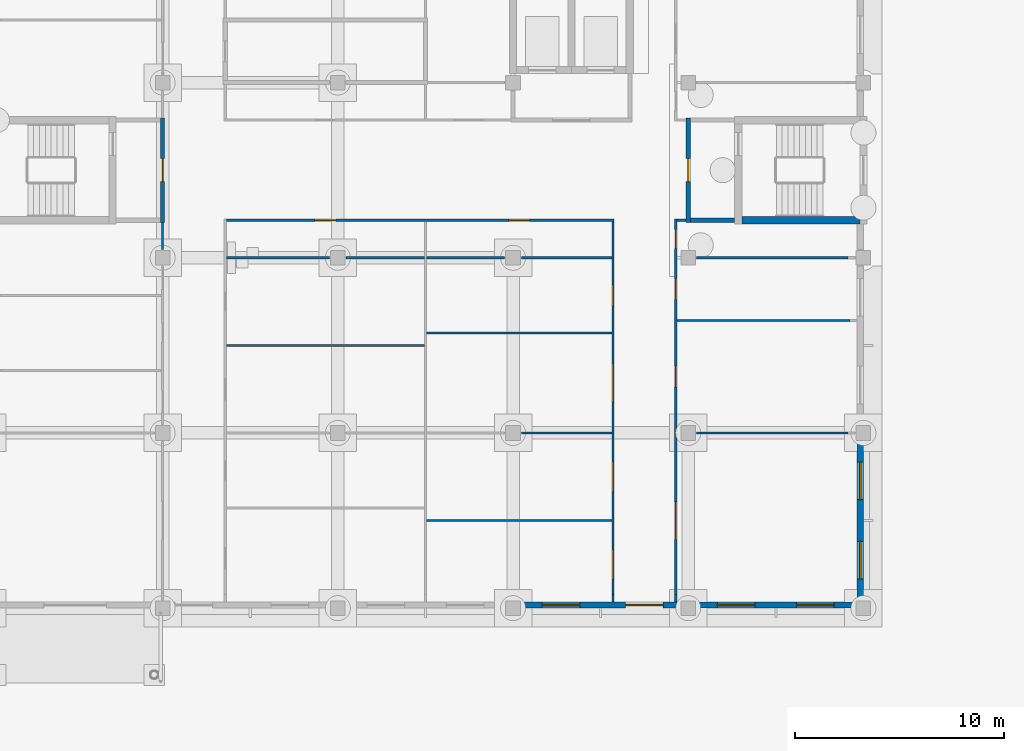
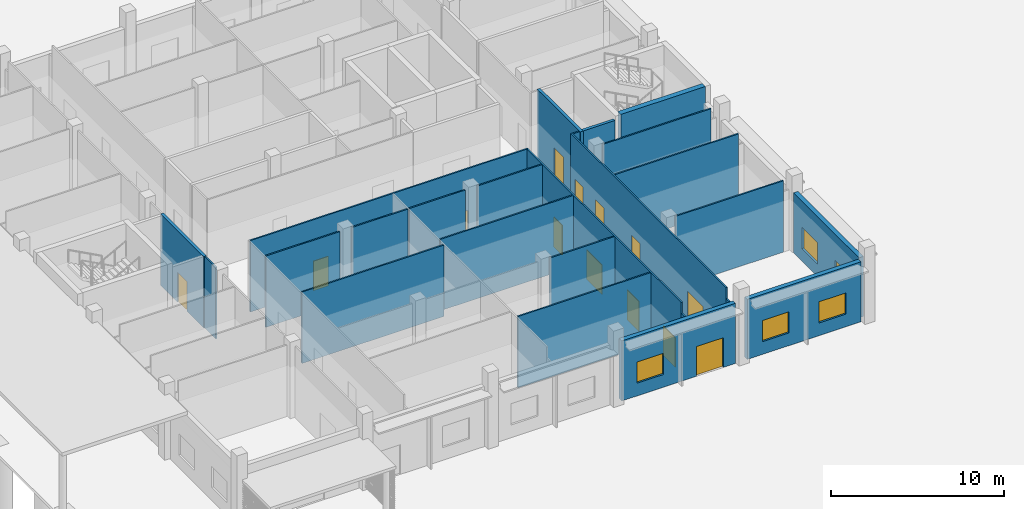
# One storey, part 55 of 146: 25 walls, 13 doors, 5 windows, 18 openings.
"""IFC4 building model written with IfcOpenShell, lengths in metres."""

from ifc_helpers import new_model, si_unit, direction, frame, frame_2d, origin, place, context, subcontext, project, spatial, rectangle, extrude, material, layer, layer_set, type_object, element, fill, save


model = new_model("IFC4")

# Units and contexts
model_context = context("Model", 3, precision=1e-05, world=origin(), true_north=direction((0.0, 1.0)))
body_context = subcontext(model_context, "Body", "Model", "MODEL_VIEW")
ifc_project = project(units=[si_unit("LENGTHUNIT", "METRE"), si_unit("AREAUNIT", "SQUARE_METRE"), si_unit("VOLUMEUNIT", "CUBIC_METRE"), si_unit("PLANEANGLEUNIT", "RADIAN"), si_unit("MASSUNIT", "GRAM", prefix="KILO")], contexts=[model_context])

# Site, building, storey
site_placement = place(None, origin())
site = spatial("IfcSite", under=ifc_project, at=site_placement, CompositionType="ELEMENT")
building_placement = place(site_placement, origin())
building = spatial("IfcBuilding", under=site, at=building_placement, Name="Bougainvillea Quay General Hospital", CompositionType="ELEMENT")
storey_placement = place(building_placement, origin())
storey = spatial("IfcBuildingStorey", under=building, at=storey_placement, Name="L00", CompositionType="ELEMENT", Elevation=0.0)

# Wall, openings, windows
ifc_material_1 = material(Name="Pale stone rainscreen cladding on insulated masonry backing, pale stone", Category="masonry")
ifc_layer_1 = layer(ifc_material_1, 0.300048828125)
ifc_layer_set_1 = layer_set([ifc_layer_1], Name="Pale stone rainscreen cladding on insulated masonry backing, pale stone")
wall_type_1 = type_object("IfcWallType", Name="External wall pale stone rainscreen 300", PredefinedType="STANDARD", material=ifc_layer_set_1)
wall_1_placement = place(storey_placement, frame((50.25, 34.0, 0.0), z_axis=(0.0, 0.0, 1.0), x_axis=(0.0, 1.0, 0.0)))
wall_1 = element("IfcWall", 1, at=wall_1_placement, inside=storey, type_object=wall_type_1, Name="External wall wall/V2/L00/p0/00a", PredefinedType="STANDARD", context=body_context, shape_type="SweptSolid", body=[
    extrude(rectangle(XDim=7.60009765625, YDim=0.300048828125, at=frame_2d((3.800048828125, 0.0))), origin(), (0.0, 0.0, 1.0), 4.25),
])
opening_1_placement = place(wall_1_placement, frame((1.0, 0.0, 0.89990234375)))
opening_1 = element("IfcOpeningElement", 2, at=opening_1_placement, cuts=wall_1, Name="Opening W1", PredefinedType="OPENING", context=body_context, shape_type="SweptSolid", body=[
    extrude(rectangle(XDim=1.800048828125, YDim=1.5, at=frame_2d((0.89990234375, 0.75))), frame((0.0, 0.159912109375, 0.0), z_axis=(0.0, -1.0, 0.0), x_axis=(1.0, 0.0, 0.0)), (0.0, 0.0, 1.0), 0.320068359375),
])
opening_2_placement = place(wall_1_placement, frame((4.800048828125, 0.0, 0.89990234375)))
opening_2 = element("IfcOpeningElement", 3, at=opening_2_placement, cuts=wall_1, Name="Opening W1", PredefinedType="OPENING", context=body_context, shape_type="SweptSolid", body=[
    extrude(rectangle(XDim=1.800048828125, YDim=1.5, at=frame_2d((0.89990234375, 0.75))), frame((0.0, 0.159912109375, 0.0), z_axis=(0.0, -1.0, 0.0), x_axis=(1.0, 0.0, 0.0)), (0.0, 0.0, 1.0), 0.320068359375),
])
ifc_material_2 = material(Name="Aluminium window frame with low-e double glazed unit", Category="aluminium")
window_type = type_object("IfcWindowType", Name="Window W1 1800x1500", PartitioningType="DOUBLE_PANEL_VERTICAL", PredefinedType="WINDOW", material=ifc_material_2)
window_1_placement = place(opening_1_placement, origin())
window_1 = element("IfcWindow", 4, at=window_1_placement, inside=storey, type_object=window_type, Name="Window W1 1", OverallHeight=1.5, OverallWidth=1.800048828125, PartitioningType="SINGLE_PANEL", PredefinedType="WINDOW", context=body_context, shape_type="SweptSolid", body=[
    extrude(rectangle(XDim=1.800048828125, YDim=1.5, at=frame_2d((0.89990234375, 0.75))), frame((0.0, 0.030029296875, 0.0), z_axis=(0.0, -1.0, 0.0), x_axis=(1.0, 0.0, 0.0)), (0.0, 0.0, 1.0), 0.06005859375),
])
fill(opening_1, window_1)
window_2_placement = place(opening_2_placement, origin())
window_2 = element("IfcWindow", 5, at=window_2_placement, inside=storey, type_object=window_type, Name="Window W1 2", OverallHeight=1.5, OverallWidth=1.800048828125, PartitioningType="SINGLE_PANEL", PredefinedType="WINDOW", context=body_context, shape_type="SweptSolid", body=[
    extrude(rectangle(XDim=1.800048828125, YDim=1.5, at=frame_2d((0.89990234375, 0.75))), frame((0.0, 0.030029296875, 0.0), z_axis=(0.0, -1.0, 0.0), x_axis=(1.0, 0.0, 0.0)), (0.0, 0.0, 1.0), 0.06005859375),
])
fill(opening_2, window_2)

# Wall, openings, door, window
wall_2_placement = place(storey_placement, frame((34.0, 33.75, 0.0), z_axis=(0.0, 0.0, 1.0), x_axis=(1.0, 0.0, 0.0)))
wall_2 = element("IfcWall", 6, at=wall_2_placement, inside=storey, type_object=wall_type_1, Name="External wall wall/V2/L00/p0/03d", PredefinedType="STANDARD", context=body_context, shape_type="SweptSolid", body=[
    extrude(rectangle(XDim=7.60009765625, YDim=0.300048828125, at=frame_2d((3.800048828125, 0.0))), origin(), (0.0, 0.0, 1.0), 4.25),
])
opening_3_placement = place(wall_2_placement, frame((5.0, 0.0, 0.0)))
opening_3 = element("IfcOpeningElement", 7, at=opening_3_placement, cuts=wall_2, Name="Opening L00.321", PredefinedType="OPENING", context=body_context, shape_type="SweptSolid", body=[
    extrude(rectangle(XDim=1.800048828125, YDim=2.10009765625, at=frame_2d((0.89990234375, 1.050048828125))), frame((0.0, 0.159912109375, 0.0), z_axis=(0.0, -1.0, 0.0), x_axis=(1.0, 0.0, 0.0)), (0.0, 0.0, 1.0), 0.320068359375),
])
opening_4_placement = place(wall_2_placement, frame((1.0, 0.0, 0.89990234375)))
opening_4 = element("IfcOpeningElement", 8, at=opening_4_placement, cuts=wall_2, Name="Opening W1", PredefinedType="OPENING", context=body_context, shape_type="SweptSolid", body=[
    extrude(rectangle(XDim=1.800048828125, YDim=1.5, at=frame_2d((0.89990234375, 0.75))), frame((0.0, 0.159912109375, 0.0), z_axis=(0.0, -1.0, 0.0), x_axis=(1.0, 0.0, 0.0)), (0.0, 0.0, 1.0), 0.320068359375),
])
ifc_material_3 = material(Name="Steel door set, painted, with vision panels", Category="steel")
door_type_1 = type_object("IfcDoorType", Name="Escape door 1800x2100", OperationType="DOUBLE_DOOR_SINGLE_SWING", PredefinedType="DOOR", material=ifc_material_3)
door_1_placement = place(opening_3_placement, frame((1.800048828125, 0.0, 0.0), z_axis=(0.0, 0.0, 1.0), x_axis=(-1.0, 0.0, 0.0)))
door_1 = element("IfcDoor", 9, at=door_1_placement, inside=storey, type_object=door_type_1, Name="Escape door 9", OperationType="SINGLE_SWING_LEFT", OverallHeight=2.10009765625, OverallWidth=1.800048828125, PredefinedType="DOOR", context=body_context, shape_type="SweptSolid", body=[
    extrude(rectangle(XDim=1.800048828125, YDim=2.10009765625, at=frame_2d((0.89990234375, 1.050048828125))), frame((0.0, 0.02490234375, 0.0), z_axis=(0.0, -1.0, 0.0), x_axis=(1.0, 0.0, 0.0)), (0.0, 0.0, 1.0), 0.050048828125),
])
fill(opening_3, door_1)
window_3_placement = place(opening_4_placement, origin())
window_3 = element("IfcWindow", 10, at=window_3_placement, inside=storey, type_object=window_type, Name="Window W1 1", OverallHeight=1.5, OverallWidth=1.800048828125, PartitioningType="SINGLE_PANEL", PredefinedType="WINDOW", context=body_context, shape_type="SweptSolid", body=[
    extrude(rectangle(XDim=1.800048828125, YDim=1.5, at=frame_2d((0.89990234375, 0.75))), frame((0.0, 0.030029296875, 0.0), z_axis=(0.0, -1.0, 0.0), x_axis=(1.0, 0.0, 0.0)), (0.0, 0.0, 1.0), 0.06005859375),
])
fill(opening_4, window_3)

# Wall, openings, windows
wall_3_placement = place(storey_placement, frame((42.39990234375, 33.75, 0.0), z_axis=(0.0, 0.0, 1.0), x_axis=(1.0, 0.0, 0.0)))
wall_3 = element("IfcWall", 11, at=wall_3_placement, inside=storey, type_object=wall_type_1, Name="External wall wall/V2/L00/p0/03e", PredefinedType="STANDARD", context=body_context, shape_type="SweptSolid", body=[
    extrude(rectangle(XDim=7.60009765625, YDim=0.300048828125, at=frame_2d((3.800048828125, 0.0))), origin(), (0.0, 0.0, 1.0), 4.25),
])
opening_5_placement = place(wall_3_placement, frame((1.0, 0.0, 0.89990234375)))
opening_5 = element("IfcOpeningElement", 12, at=opening_5_placement, cuts=wall_3, Name="Opening W1", PredefinedType="OPENING", context=body_context, shape_type="SweptSolid", body=[
    extrude(rectangle(XDim=1.800048828125, YDim=1.5, at=frame_2d((0.89990234375, 0.75))), frame((0.0, 0.159912109375, 0.0), z_axis=(0.0, -1.0, 0.0), x_axis=(1.0, 0.0, 0.0)), (0.0, 0.0, 1.0), 0.320068359375),
])
opening_6_placement = place(wall_3_placement, frame((4.800048828125, 0.0, 0.89990234375)))
opening_6 = element("IfcOpeningElement", 13, at=opening_6_placement, cuts=wall_3, Name="Opening W1", PredefinedType="OPENING", context=body_context, shape_type="SweptSolid", body=[
    extrude(rectangle(XDim=1.800048828125, YDim=1.5, at=frame_2d((0.89990234375, 0.75))), frame((0.0, 0.159912109375, 0.0), z_axis=(0.0, -1.0, 0.0), x_axis=(1.0, 0.0, 0.0)), (0.0, 0.0, 1.0), 0.320068359375),
])
window_4_placement = place(opening_5_placement, origin())
window_4 = element("IfcWindow", 14, at=window_4_placement, inside=storey, type_object=window_type, Name="Window W1 1", OverallHeight=1.5, OverallWidth=1.800048828125, PartitioningType="SINGLE_PANEL", PredefinedType="WINDOW", context=body_context, shape_type="SweptSolid", body=[
    extrude(rectangle(XDim=1.800048828125, YDim=1.5, at=frame_2d((0.89990234375, 0.75))), frame((0.0, 0.030029296875, 0.0), z_axis=(0.0, -1.0, 0.0), x_axis=(1.0, 0.0, 0.0)), (0.0, 0.0, 1.0), 0.06005859375),
])
fill(opening_5, window_4)
window_5_placement = place(opening_6_placement, origin())
window_5 = element("IfcWindow", 15, at=window_5_placement, inside=storey, type_object=window_type, Name="Window W1 2", OverallHeight=1.5, OverallWidth=1.800048828125, PartitioningType="SINGLE_PANEL", PredefinedType="WINDOW", context=body_context, shape_type="SweptSolid", body=[
    extrude(rectangle(XDim=1.800048828125, YDim=1.5, at=frame_2d((0.89990234375, 0.75))), frame((0.0, 0.030029296875, 0.0), z_axis=(0.0, -1.0, 0.0), x_axis=(1.0, 0.0, 0.0)), (0.0, 0.0, 1.0), 0.06005859375),
])
fill(opening_6, window_5)

# Wall
ifc_material_4 = material(Name="Gypsum board partition on steel studs", Category="steel")
ifc_layer_2 = layer(ifc_material_4, 0.10009765625)
ifc_layer_set_2 = layer_set([ifc_layer_2], Name="Gypsum board partition on steel studs")
wall_type_2 = type_object("IfcWallType", Name="Partition 100 Gypsum board partition", PredefinedType="PARTITIONING", material=ifc_layer_set_2)
wall_4_placement = place(storey_placement, frame((16.800048828125, 52.10009765625, 0.0), z_axis=(0.0, 0.0, 1.0), x_axis=(0.0, -1.0, 0.0)))
element("IfcWall", 16, at=wall_4_placement, inside=storey, type_object=wall_type_2, Name="Partition 100 mm", PredefinedType="PARTITIONING", context=body_context, shape_type="SweptSolid", body=[
    extrude(rectangle(XDim=1.300048828125, YDim=0.10009765625, at=frame_2d((0.64990234375, 0.0))), origin(), (0.0, 0.0, 1.0), 5.050048828125),
])

# Wall, openings, doors
wall_5_placement = place(storey_placement, frame((19.85009765625, 52.199951171875, 0.0), z_axis=(0.0, 0.0, 1.0), x_axis=(1.0, 0.0, 0.0)))
wall_5 = element("IfcWall", 17, at=wall_5_placement, inside=storey, type_object=wall_type_2, Name="Partition 100 mm", PredefinedType="PARTITIONING", context=body_context, shape_type="SweptSolid", body=[
    extrude(rectangle(XDim=18.599853515625, YDim=0.10009765625, at=frame_2d((9.2998046875, 0.0))), origin(), (0.0, 0.0, 1.0), 5.050048828125),
])
opening_7_placement = place(wall_5_placement, frame((4.25, 0.0, 0.0)))
opening_7 = element("IfcOpeningElement", 18, at=opening_7_placement, cuts=wall_5, Name="Opening L00.064", PredefinedType="OPENING", context=body_context, shape_type="SweptSolid", body=[
    extrude(rectangle(XDim=1.0, YDim=2.10009765625, at=frame_2d((0.5, 1.050048828125))), frame((0.0, 0.06005859375, 0.0), z_axis=(0.0, -1.0, 0.0), x_axis=(1.0, 0.0, 0.0)), (0.0, 0.0, 1.0), 0.1201171875),
])
opening_8_placement = place(wall_5_placement, frame((13.550048828125, 0.0, 0.0)))
opening_8 = element("IfcOpeningElement", 19, at=opening_8_placement, cuts=wall_5, Name="Opening L00.069", PredefinedType="OPENING", context=body_context, shape_type="SweptSolid", body=[
    extrude(rectangle(XDim=1.0, YDim=2.10009765625, at=frame_2d((0.5, 1.050048828125))), frame((0.0, 0.06005859375, 0.0), z_axis=(0.0, -1.0, 0.0), x_axis=(1.0, 0.0, 0.0)), (0.0, 0.0, 1.0), 0.1201171875),
])
ifc_material_5 = material(Name="Solid-core timber door leaf in steel frame", Category="steel")
door_type_2 = type_object("IfcDoorType", Name="Single leaf door 1000x2100", OperationType="NOTDEFINED", PredefinedType="DOOR", material=ifc_material_5)
door_2_placement = place(opening_7_placement, frame((1.0, 0.0, 0.0), z_axis=(0.0, 0.0, 1.0), x_axis=(-1.0, 0.0, 0.0)))
door_2 = element("IfcDoor", 20, at=door_2_placement, inside=storey, type_object=door_type_2, Name="DT06 L00.064", OperationType="SINGLE_SWING_RIGHT", OverallHeight=2.10009765625, OverallWidth=1.0, PredefinedType="DOOR", context=body_context, shape_type="SweptSolid", body=[
    extrude(rectangle(XDim=1.0, YDim=2.10009765625, at=frame_2d((0.5, 1.050048828125))), frame((0.0, 0.02490234375, 0.0), z_axis=(0.0, -1.0, 0.0), x_axis=(1.0, 0.0, 0.0)), (0.0, 0.0, 1.0), 0.050048828125),
])
fill(opening_7, door_2)
door_3_placement = place(opening_8_placement, frame((1.0, 0.0, 0.0), z_axis=(0.0, 0.0, 1.0), x_axis=(-1.0, 0.0, 0.0)))
door_3 = element("IfcDoor", 21, at=door_3_placement, inside=storey, type_object=door_type_2, Name="DT06 L00.069", OperationType="SINGLE_SWING_LEFT", OverallHeight=2.10009765625, OverallWidth=1.0, PredefinedType="DOOR", context=body_context, shape_type="SweptSolid", body=[
    extrude(rectangle(XDim=1.0, YDim=2.10009765625, at=frame_2d((0.5, 1.050048828125))), frame((0.0, 0.02490234375, 0.0), z_axis=(0.0, -1.0, 0.0), x_axis=(1.0, 0.0, 0.0)), (0.0, 0.0, 1.0), 0.050048828125),
])
fill(opening_8, door_3)

wall_6_placement = place(storey_placement, frame((38.39990234375, 52.14990234375, 0.0), z_axis=(0.0, 0.0, 1.0), x_axis=(0.0, -1.0, 0.0)))
wall_6 = element("IfcWall", 22, at=wall_6_placement, inside=storey, type_object=wall_type_2, Name="Partition 100 mm", PredefinedType="PARTITIONING", context=body_context, shape_type="SweptSolid", body=[
    extrude(rectangle(XDim=17.89990234375, YDim=0.10009765625, at=frame_2d((8.949951171875, 0.0))), origin(), (0.0, 0.0, 1.0), 5.050048828125),
])
opening_9_placement = place(wall_6_placement, frame((3.050048828125, 0.0, 0.0)))
opening_9 = element("IfcOpeningElement", 23, at=opening_9_placement, cuts=wall_6, Name="Opening L00.070", PredefinedType="OPENING", context=body_context, shape_type="SweptSolid", body=[
    extrude(rectangle(XDim=1.0, YDim=2.10009765625, at=frame_2d((0.5, 1.050048828125))), frame((0.0, 0.06005859375, 0.0), z_axis=(0.0, -1.0, 0.0), x_axis=(1.0, 0.0, 0.0)), (0.0, 0.0, 1.0), 0.1201171875),
])
opening_10_placement = place(wall_6_placement, frame((6.85009765625, 0.0, 0.0)))
opening_10 = element("IfcOpeningElement", 24, at=opening_10_placement, cuts=wall_6, Name="Opening L00.071", PredefinedType="OPENING", context=body_context, shape_type="SweptSolid", body=[
    extrude(rectangle(XDim=1.800048828125, YDim=2.10009765625, at=frame_2d((0.89990234375, 1.050048828125))), frame((0.0, 0.06005859375, 0.0), z_axis=(0.0, -1.0, 0.0), x_axis=(1.0, 0.0, 0.0)), (0.0, 0.0, 1.0), 0.1201171875),
])
opening_11_placement = place(wall_6_placement, frame((11.550048828125, 0.0, 0.0)))
opening_11 = element("IfcOpeningElement", 25, at=opening_11_placement, cuts=wall_6, Name="Opening L00.072", PredefinedType="OPENING", context=body_context, shape_type="SweptSolid", body=[
    extrude(rectangle(XDim=1.39990234375, YDim=2.10009765625, at=frame_2d((0.699951171875, 1.050048828125))), frame((0.0, 0.06005859375, 0.0), z_axis=(0.0, -1.0, 0.0), x_axis=(1.0, 0.0, 0.0)), (0.0, 0.0, 1.0), 0.1201171875),
])
opening_12_placement = place(wall_6_placement, frame((15.75, 0.0, 0.0)))
opening_12 = element("IfcOpeningElement", 26, at=opening_12_placement, cuts=wall_6, Name="Opening L00.073", PredefinedType="OPENING", context=body_context, shape_type="SweptSolid", body=[
    extrude(rectangle(XDim=1.39990234375, YDim=2.10009765625, at=frame_2d((0.699951171875, 1.050048828125))), frame((0.0, 0.06005859375, 0.0), z_axis=(0.0, -1.0, 0.0), x_axis=(1.0, 0.0, 0.0)), (0.0, 0.0, 1.0), 0.1201171875),
])
ifc_material_6 = material(Name="Solid-core timber door leaves in steel frame", Category="steel")
door_type_3 = type_object("IfcDoorType", Name="Bed door pair 1400x2100", OperationType="DOUBLE_DOOR_SINGLE_SWING", PredefinedType="DOOR", material=ifc_material_6)
door_4_placement = place(opening_11_placement, frame((1.39990234375, 0.0, 0.0), z_axis=(0.0, 0.0, 1.0), x_axis=(-1.0, 0.0, 0.0)))
door_4 = element("IfcDoor", 27, at=door_4_placement, inside=storey, type_object=door_type_3, Name="DT09 L00.072", OperationType="DOUBLE_DOOR_SINGLE_SWING", OverallHeight=2.10009765625, OverallWidth=1.39990234375, PredefinedType="DOOR", context=body_context, shape_type="SweptSolid", body=[
    extrude(rectangle(XDim=1.39990234375, YDim=2.10009765625, at=frame_2d((0.699951171875, 1.050048828125))), frame((0.0, 0.02490234375, 0.0), z_axis=(0.0, -1.0, 0.0), x_axis=(1.0, 0.0, 0.0)), (0.0, 0.0, 1.0), 0.050048828125),
])
fill(opening_11, door_4)
door_5_placement = place(opening_12_placement, frame((1.39990234375, 0.0, 0.0), z_axis=(0.0, 0.0, 1.0), x_axis=(-1.0, 0.0, 0.0)))
door_5 = element("IfcDoor", 28, at=door_5_placement, inside=storey, type_object=door_type_3, Name="DT09 L00.073", OperationType="DOUBLE_DOOR_SINGLE_SWING", OverallHeight=2.10009765625, OverallWidth=1.39990234375, PredefinedType="DOOR", context=body_context, shape_type="SweptSolid", body=[
    extrude(rectangle(XDim=1.39990234375, YDim=2.10009765625, at=frame_2d((0.699951171875, 1.050048828125))), frame((0.0, 0.02490234375, 0.0), z_axis=(0.0, -1.0, 0.0), x_axis=(1.0, 0.0, 0.0)), (0.0, 0.0, 1.0), 0.050048828125),
])
fill(opening_12, door_5)
door_type_4 = type_object("IfcDoorType", Name="Double leaf door 1800x2100", OperationType="DOUBLE_DOOR_SINGLE_SWING", PredefinedType="DOOR", material=ifc_material_6)
door_6_placement = place(opening_10_placement, frame((1.800048828125, 0.0, 0.0), z_axis=(0.0, 0.0, 1.0), x_axis=(-1.0, 0.0, 0.0)))
door_6 = element("IfcDoor", 29, at=door_6_placement, inside=storey, type_object=door_type_4, Name="DT08 L00.071", OperationType="DOUBLE_DOOR_SINGLE_SWING", OverallHeight=2.10009765625, OverallWidth=1.800048828125, PredefinedType="DOOR", context=body_context, shape_type="SweptSolid", body=[
    extrude(rectangle(XDim=1.800048828125, YDim=2.10009765625, at=frame_2d((0.89990234375, 1.050048828125))), frame((0.0, 0.02490234375, 0.0), z_axis=(0.0, -1.0, 0.0), x_axis=(1.0, 0.0, 0.0)), (0.0, 0.0, 1.0), 0.050048828125),
])
fill(opening_10, door_6)
door_7_placement = place(opening_9_placement, frame((1.0, 0.0, 0.0), z_axis=(0.0, 0.0, 1.0), x_axis=(-1.0, 0.0, 0.0)))
door_7 = element("IfcDoor", 30, at=door_7_placement, inside=storey, type_object=door_type_2, Name="DT06 L00.070", OperationType="SINGLE_SWING_RIGHT", OverallHeight=2.10009765625, OverallWidth=1.0, PredefinedType="DOOR", context=body_context, shape_type="SweptSolid", body=[
    extrude(rectangle(XDim=1.0, YDim=2.10009765625, at=frame_2d((0.5, 1.050048828125))), frame((0.0, 0.02490234375, 0.0), z_axis=(0.0, -1.0, 0.0), x_axis=(1.0, 0.0, 0.0)), (0.0, 0.0, 1.0), 0.050048828125),
])
fill(opening_9, door_7)

# Wall
wall_7_placement = place(storey_placement, frame((38.39990234375, 34.25, 0.0), z_axis=(0.0, 0.0, 1.0), x_axis=(0.0, -1.0, 0.0)))
element("IfcWall", 31, at=wall_7_placement, inside=storey, type_object=wall_type_2, Name="Partition 100 mm", PredefinedType="PARTITIONING", context=body_context, shape_type="SweptSolid", body=[
    extrude(rectangle(XDim=0.35009765625, YDim=0.10009765625, at=frame_2d((0.175048828125, 0.0))), origin(), (0.0, 0.0, 1.0), 4.280029296875),
])

# Wall, openings, doors
wall_8_placement = place(storey_placement, frame((41.39990234375, 52.25, 0.0), z_axis=(0.0, 0.0, 1.0), x_axis=(0.0, -1.0, 0.0)))
wall_8 = element("IfcWall", 32, at=wall_8_placement, inside=storey, type_object=wall_type_2, Name="Partition 100 mm", PredefinedType="PARTITIONING", context=body_context, shape_type="SweptSolid", body=[
    extrude(rectangle(XDim=18.0, YDim=0.10009765625, at=frame_2d((9.0, 0.0))), origin(), (0.0, 0.0, 1.0), 5.050048828125),
])
opening_13_placement = place(wall_8_placement, frame((0.5, 0.0, 0.0)))
opening_13 = element("IfcOpeningElement", 33, at=opening_13_placement, cuts=wall_8, Name="Opening L00.074", PredefinedType="OPENING", context=body_context, shape_type="SweptSolid", body=[
    extrude(rectangle(XDim=0.89990234375, YDim=2.10009765625, at=frame_2d((0.449951171875, 1.050048828125))), frame((0.0, 0.06005859375, 0.0), z_axis=(0.0, -1.0, 0.0), x_axis=(1.0, 0.0, 0.0)), (0.0, 0.0, 1.0), 0.1201171875),
])
opening_14_placement = place(wall_8_placement, frame((2.85009765625, 0.0, 0.0)))
opening_14 = element("IfcOpeningElement", 34, at=opening_14_placement, cuts=wall_8, Name="Opening L00.075", PredefinedType="OPENING", context=body_context, shape_type="SweptSolid", body=[
    extrude(rectangle(XDim=1.0, YDim=2.10009765625, at=frame_2d((0.5, 1.050048828125))), frame((0.0, 0.06005859375, 0.0), z_axis=(0.0, -1.0, 0.0), x_axis=(1.0, 0.0, 0.0)), (0.0, 0.0, 1.0), 0.1201171875),
])
opening_15_placement = place(wall_8_placement, frame((7.050048828125, 0.0, 0.0)))
opening_15 = element("IfcOpeningElement", 35, at=opening_15_placement, cuts=wall_8, Name="Opening L00.076", PredefinedType="OPENING", context=body_context, shape_type="SweptSolid", body=[
    extrude(rectangle(XDim=1.0, YDim=2.10009765625, at=frame_2d((0.5, 1.050048828125))), frame((0.0, 0.06005859375, 0.0), z_axis=(0.0, -1.0, 0.0), x_axis=(1.0, 0.0, 0.0)), (0.0, 0.0, 1.0), 0.1201171875),
])
opening_16_placement = place(wall_8_placement, frame((13.550048828125, 0.0, 0.0)))
opening_16 = element("IfcOpeningElement", 36, at=opening_16_placement, cuts=wall_8, Name="Opening L00.077", PredefinedType="OPENING", context=body_context, shape_type="SweptSolid", body=[
    extrude(rectangle(XDim=1.800048828125, YDim=2.10009765625, at=frame_2d((0.89990234375, 1.050048828125))), frame((0.0, 0.06005859375, 0.0), z_axis=(0.0, -1.0, 0.0), x_axis=(1.0, 0.0, 0.0)), (0.0, 0.0, 1.0), 0.1201171875),
])
door_8_placement = place(opening_16_placement, origin())
door_8 = element("IfcDoor", 37, at=door_8_placement, inside=storey, type_object=door_type_4, Name="DT08 L00.077", OperationType="DOUBLE_DOOR_SINGLE_SWING", OverallHeight=2.10009765625, OverallWidth=1.800048828125, PredefinedType="DOOR", context=body_context, shape_type="SweptSolid", body=[
    extrude(rectangle(XDim=1.800048828125, YDim=2.10009765625, at=frame_2d((0.89990234375, 1.050048828125))), frame((0.0, 0.02490234375, 0.0), z_axis=(0.0, -1.0, 0.0), x_axis=(1.0, 0.0, 0.0)), (0.0, 0.0, 1.0), 0.050048828125),
])
fill(opening_16, door_8)
door_9_placement = place(opening_14_placement, origin())
door_9 = element("IfcDoor", 38, at=door_9_placement, inside=storey, type_object=door_type_2, Name="DT06 L00.075", OperationType="SINGLE_SWING_LEFT", OverallHeight=2.10009765625, OverallWidth=1.0, PredefinedType="DOOR", context=body_context, shape_type="SweptSolid", body=[
    extrude(rectangle(XDim=1.0, YDim=2.10009765625, at=frame_2d((0.5, 1.050048828125))), frame((0.0, 0.02490234375, 0.0), z_axis=(0.0, -1.0, 0.0), x_axis=(1.0, 0.0, 0.0)), (0.0, 0.0, 1.0), 0.050048828125),
])
fill(opening_14, door_9)
door_10_placement = place(opening_15_placement, origin())
door_10 = element("IfcDoor", 39, at=door_10_placement, inside=storey, type_object=door_type_2, Name="DT06 L00.076", OperationType="SINGLE_SWING_LEFT", OverallHeight=2.10009765625, OverallWidth=1.0, PredefinedType="DOOR", context=body_context, shape_type="SweptSolid", body=[
    extrude(rectangle(XDim=1.0, YDim=2.10009765625, at=frame_2d((0.5, 1.050048828125))), frame((0.0, 0.02490234375, 0.0), z_axis=(0.0, -1.0, 0.0), x_axis=(1.0, 0.0, 0.0)), (0.0, 0.0, 1.0), 0.050048828125),
])
fill(opening_15, door_10)
door_type_5 = type_object("IfcDoorType", Name="Single leaf door 900x2100", OperationType="NOTDEFINED", PredefinedType="DOOR", material=ifc_material_5)
door_11_placement = place(opening_13_placement, origin())
door_11 = element("IfcDoor", 40, at=door_11_placement, inside=storey, type_object=door_type_5, Name="DT07 L00.074", OperationType="SINGLE_SWING_LEFT", OverallHeight=2.10009765625, OverallWidth=0.89990234375, PredefinedType="DOOR", context=body_context, shape_type="SweptSolid", body=[
    extrude(rectangle(XDim=0.89990234375, YDim=2.10009765625, at=frame_2d((0.449951171875, 1.050048828125))), frame((0.0, 0.02490234375, 0.0), z_axis=(0.0, -1.0, 0.0), x_axis=(1.0, 0.0, 0.0)), (0.0, 0.0, 1.0), 0.050048828125),
])
fill(opening_13, door_11)

# Walls
wall_9_placement = place(storey_placement, frame((41.39990234375, 34.25, 0.0), z_axis=(0.0, 0.0, 1.0), x_axis=(0.0, -1.0, 0.0)))
element("IfcWall", 41, at=wall_9_placement, inside=storey, type_object=wall_type_2, Name="Partition 100 mm", PredefinedType="PARTITIONING", context=body_context, shape_type="SweptSolid", body=[
    extrude(rectangle(XDim=0.35009765625, YDim=0.10009765625, at=frame_2d((0.175048828125, 0.0))), origin(), (0.0, 0.0, 1.0), 4.280029296875),
])
wall_10_placement = place(storey_placement, frame((34.0, 42.0, 0.0), z_axis=(0.0, 0.0, 1.0), x_axis=(1.0, 0.0, 0.0)))
element("IfcWall", 42, at=wall_10_placement, inside=storey, type_object=wall_type_2, Name="Partition 100 mm", PredefinedType="PARTITIONING", context=body_context, shape_type="SweptSolid", body=[
    extrude(rectangle(XDim=4.35009765625, YDim=0.10009765625, at=frame_2d((2.175048828125, 0.0))), origin(), (0.0, 0.0, 1.0), 5.050048828125),
])
wall_11_placement = place(storey_placement, frame((19.85009765625, 50.39990234375, 0.0), z_axis=(0.0, 0.0, 1.0), x_axis=(1.0, 0.0, 0.0)))
element("IfcWall", 43, at=wall_11_placement, inside=storey, type_object=wall_type_2, Name="Partition 100 mm", PredefinedType="PARTITIONING", context=body_context, shape_type="SweptSolid", body=[
    extrude(rectangle(XDim=4.949951171875, YDim=0.10009765625, at=frame_2d((2.47509765625, 0.0))), origin(), (0.0, 0.0, 1.0), 5.050048828125),
])
for number, where, z_axis, x_axis, name in (
    (44, (25.60009765625, 50.39990234375, 0.0), (0.0, 0.0, 1.0), (1.0, 0.0, 0.0), "Partition 100 mm"),
    (45, (29.449951171875, 50.39990234375, 0.0), (0.0, 0.0, 1.0), (1.0, 0.0, 0.0), "Partition 100 mm"),
):
    element("IfcWall", number, at=place(storey_placement, frame(where, z_axis=z_axis, x_axis=x_axis)), inside=storey, type_object=wall_type_2, Name=name, PredefinedType="PARTITIONING", context=body_context, shape_type="SweptSolid", body=[
        extrude(rectangle(XDim=3.75, YDim=0.10009765625, at=frame_2d((1.875, 0.0))), origin(), (0.0, 0.0, 1.0), 5.050048828125),
    ])
wall_12_placement = place(storey_placement, frame((34.0, 50.39990234375, 0.0), z_axis=(0.0, 0.0, 1.0), x_axis=(1.0, 0.0, 0.0)))
element("IfcWall", 46, at=wall_12_placement, inside=storey, type_object=wall_type_2, Name="Partition 100 mm", PredefinedType="PARTITIONING", context=body_context, shape_type="SweptSolid", body=[
    extrude(rectangle(XDim=4.35009765625, YDim=0.10009765625, at=frame_2d((2.175048828125, 0.0))), origin(), (0.0, 0.0, 1.0), 5.050048828125),
])
wall_13_placement = place(storey_placement, frame((19.85009765625, 46.199951171875, 0.0), z_axis=(0.0, 0.0, 1.0), x_axis=(1.0, 0.0, 0.0)))
element("IfcWall", 47, at=wall_13_placement, inside=storey, type_object=wall_type_2, Name="Partition 100 mm", PredefinedType="PARTITIONING", context=body_context, shape_type="SweptSolid", body=[
    extrude(rectangle(XDim=9.5, YDim=0.10009765625, at=frame_2d((4.75, 0.0))), origin(), (0.0, 0.0, 1.0), 5.050048828125),
])
for number, where, z_axis, x_axis, name in (
    (48, (29.449951171875, 37.800048828125, 0.0), (0.0, 0.0, 1.0), (1.0, 0.0, 0.0), "Partition 100 mm"),
    (49, (29.449951171875, 46.800048828125, 0.0), (0.0, 0.0, 1.0), (1.0, 0.0, 0.0), "Partition 100 mm"),
):
    element("IfcWall", number, at=place(storey_placement, frame(where, z_axis=z_axis, x_axis=x_axis)), inside=storey, type_object=wall_type_2, Name=name, PredefinedType="PARTITIONING", context=body_context, shape_type="SweptSolid", body=[
        extrude(rectangle(XDim=8.900146484375, YDim=0.10009765625, at=frame_2d((4.4501953125, 0.0))), origin(), (0.0, 0.0, 1.0), 5.050048828125),
    ])
wall_14_placement = place(storey_placement, frame((42.39990234375, 42.0, 0.0), z_axis=(0.0, 0.0, 1.0), x_axis=(1.0, 0.0, 0.0)))
element("IfcWall", 50, at=wall_14_placement, inside=storey, type_object=wall_type_2, Name="Partition 100 mm", PredefinedType="PARTITIONING", context=body_context, shape_type="SweptSolid", body=[
    extrude(rectangle(XDim=7.25, YDim=0.10009765625, at=frame_2d((3.625, 0.0))), origin(), (0.0, 0.0, 1.0), 5.050048828125),
])
wall_15_placement = place(storey_placement, frame((41.449951171875, 47.39990234375, 0.0), z_axis=(0.0, 0.0, 1.0), x_axis=(1.0, 0.0, 0.0)))
element("IfcWall", 51, at=wall_15_placement, inside=storey, type_object=wall_type_2, Name="Partition 100 mm", PredefinedType="PARTITIONING", context=body_context, shape_type="SweptSolid", body=[
    extrude(rectangle(XDim=8.300048828125, YDim=0.10009765625, at=frame_2d((4.14990234375, 0.0))), origin(), (0.0, 0.0, 1.0), 5.050048828125),
])
wall_16_placement = place(storey_placement, frame((42.39990234375, 50.39990234375, 0.0), z_axis=(0.0, 0.0, 1.0), x_axis=(1.0, 0.0, 0.0)))
element("IfcWall", 52, at=wall_16_placement, inside=storey, type_object=wall_type_2, Name="Partition 100 mm", PredefinedType="PARTITIONING", context=body_context, shape_type="SweptSolid", body=[
    extrude(rectangle(XDim=7.25, YDim=0.10009765625, at=frame_2d((3.625, 0.0))), origin(), (0.0, 0.0, 1.0), 5.050048828125),
])
wall_17_placement = place(storey_placement, frame((41.449951171875, 52.199951171875, 0.0), z_axis=(0.0, 0.0, 1.0), x_axis=(1.0, 0.0, 0.0)))
element("IfcWall", 53, at=wall_17_placement, inside=storey, type_object=wall_type_2, Name="Partition 100 mm", PredefinedType="PARTITIONING", context=body_context, shape_type="SweptSolid", body=[
    extrude(rectangle(XDim=0.449951171875, YDim=0.10009765625, at=frame_2d((0.22509765625, 0.0))), origin(), (0.0, 0.0, 1.0), 5.050048828125),
])

# Wall, opening, door
ifc_material_7 = material(Name="Fire-rated autoclaved aerated block wall, plastered")
ifc_layer_3 = layer(ifc_material_7, 0.199951171875)
ifc_layer_set_3 = layer_set([ifc_layer_3], Name="Fire-rated autoclaved aerated block wall, plastered")
wall_type_3 = type_object("IfcWallType", Name="Partition 200 Fire-rated autoclaved aerated block wall EI 120", PredefinedType="SOLIDWALL", material=ifc_layer_set_3)
wall_18_placement = place(storey_placement, frame((16.800048828125, 52.10009765625, 0.0), z_axis=(0.0, 0.0, 1.0), x_axis=(0.0, 1.0, 0.0)))
wall_18 = element("IfcWall", 54, at=wall_18_placement, inside=storey, type_object=wall_type_3, Name="Partition 200 mm EI 120", PredefinedType="SOLIDWALL", context=body_context, shape_type="SweptSolid", body=[
    extrude(rectangle(XDim=5.0, YDim=0.199951171875, at=frame_2d((2.5, 0.0))), origin(), (0.0, 0.0, 1.0), 5.050048828125),
])
opening_17_placement = place(wall_18_placement, frame((1.949951171875, 0.0, 0.0)))
opening_17 = element("IfcOpeningElement", 55, at=opening_17_placement, cuts=wall_18, Name="Opening L00.054", PredefinedType="OPENING", context=body_context, shape_type="SweptSolid", body=[
    extrude(rectangle(XDim=1.10009765625, YDim=2.10009765625, at=frame_2d((0.550048828125, 1.050048828125))), frame((0.0, 0.10986328125, 0.0), z_axis=(0.0, -1.0, 0.0), x_axis=(1.0, 0.0, 0.0)), (0.0, 0.0, 1.0), 0.219970703125),
])
ifc_material_8 = material(Name="Steel fire door leaf in steel frame", Category="steel")
door_type_6 = type_object("IfcDoorType", Name="Steel single leaf door 1100x2100 FD60", OperationType="NOTDEFINED", PredefinedType="DOOR", material=ifc_material_8)
door_12_placement = place(opening_17_placement, origin())
door_12 = element("IfcDoor", 56, at=door_12_placement, inside=storey, type_object=door_type_6, Name="DT04 L00.054", OperationType="SINGLE_SWING_LEFT", OverallHeight=2.10009765625, OverallWidth=1.10009765625, PredefinedType="DOOR", context=body_context, shape_type="SweptSolid", body=[
    extrude(rectangle(XDim=1.10009765625, YDim=2.10009765625, at=frame_2d((0.550048828125, 1.050048828125))), frame((0.0, 0.02490234375, 0.0), z_axis=(0.0, -1.0, 0.0), x_axis=(1.0, 0.0, 0.0)), (0.0, 0.0, 1.0), 0.050048828125),
])
fill(opening_17, door_12)

wall_19_placement = place(storey_placement, frame((42.0, 52.10009765625, 0.0), z_axis=(0.0, 0.0, 1.0), x_axis=(0.0, 1.0, 0.0)))
wall_19 = element("IfcWall", 57, at=wall_19_placement, inside=storey, type_object=wall_type_3, Name="Partition 200 mm EI 120", PredefinedType="SOLIDWALL", context=body_context, shape_type="SweptSolid", body=[
    extrude(rectangle(XDim=5.0, YDim=0.199951171875, at=frame_2d((2.5, 0.0))), origin(), (0.0, 0.0, 1.0), 5.050048828125),
])
opening_18_placement = place(wall_19_placement, frame((1.949951171875, 0.0, 0.0)))
opening_18 = element("IfcOpeningElement", 58, at=opening_18_placement, cuts=wall_19, Name="Opening L00.055", PredefinedType="OPENING", context=body_context, shape_type="SweptSolid", body=[
    extrude(rectangle(XDim=1.10009765625, YDim=2.10009765625, at=frame_2d((0.550048828125, 1.050048828125))), frame((0.0, 0.10986328125, 0.0), z_axis=(0.0, -1.0, 0.0), x_axis=(1.0, 0.0, 0.0)), (0.0, 0.0, 1.0), 0.219970703125),
])
door_13_placement = place(opening_18_placement, frame((1.10009765625, 0.0, 0.0), z_axis=(0.0, 0.0, 1.0), x_axis=(-1.0, 0.0, 0.0)))
door_13 = element("IfcDoor", 59, at=door_13_placement, inside=storey, type_object=door_type_6, Name="DT04 L00.055", OperationType="SINGLE_SWING_RIGHT", OverallHeight=2.10009765625, OverallWidth=1.10009765625, PredefinedType="DOOR", context=body_context, shape_type="SweptSolid", body=[
    extrude(rectangle(XDim=1.10009765625, YDim=2.10009765625, at=frame_2d((0.550048828125, 1.050048828125))), frame((0.0, 0.02490234375, 0.0), z_axis=(0.0, -1.0, 0.0), x_axis=(1.0, 0.0, 0.0)), (0.0, 0.0, 1.0), 0.050048828125),
])
fill(opening_18, door_13)

# Walls
wall_20_placement = place(storey_placement, frame((42.10009765625, 52.199951171875, 0.0), z_axis=(0.0, 0.0, 1.0), x_axis=(1.0, 0.0, 0.0)))
element("IfcWall", 60, at=wall_20_placement, inside=storey, type_object=wall_type_3, Name="Partition 200 mm EI 120", PredefinedType="SOLIDWALL", context=body_context, shape_type="SweptSolid", body=[
    extrude(rectangle(XDim=2.125, YDim=0.199951171875, at=frame_2d((1.0625, 0.0))), origin(), (0.0, 0.0, 1.0), 5.050048828125),
])
ifc_material_9 = material(Name="Concrete C40", Category="concrete")
ifc_layer_4 = layer(ifc_material_9, 0.35009765625)
ifc_layer_set_4 = layer_set([ifc_layer_4], Name="Concrete C40")
wall_type_4 = type_object("IfcWallType", Name="RC SHEAR WALL 350 C40", PredefinedType="SHEAR", material=ifc_layer_set_4)
wall_21_placement = place(storey_placement, frame((44.574951171875, 52.199951171875, -0.300048828125), z_axis=(0.0, 0.0, 1.0), x_axis=(1.0, 0.0, 0.0)))
element("IfcWall", 61, at=wall_21_placement, inside=storey, type_object=wall_type_4, Name="Shear wall L00", PredefinedType="SHEAR", context=body_context, shape_type="SweptSolid", body=[
    extrude(rectangle(XDim=5.650146484375, YDim=0.35009765625, at=frame_2d((2.8251953125, 0.0))), origin(), (0.0, 0.0, 1.0), 5.699951171875),
])

save(model, "model.ifc")
